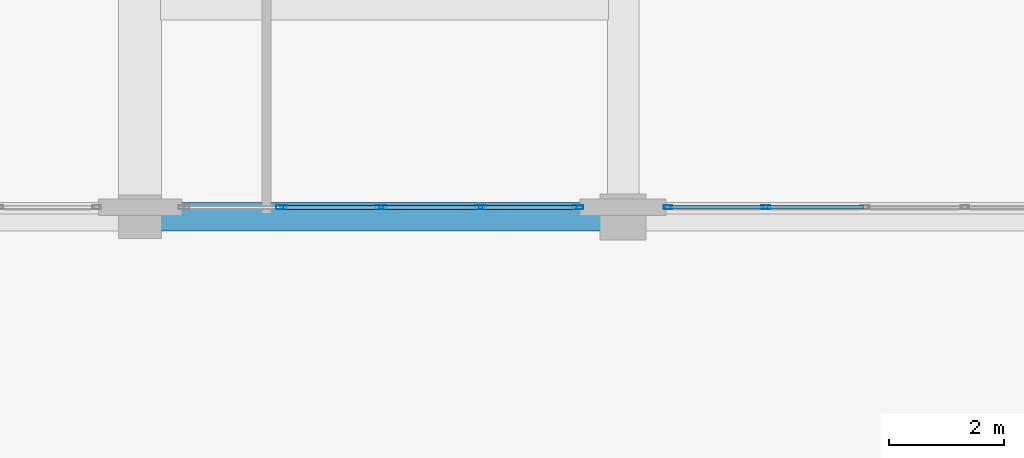
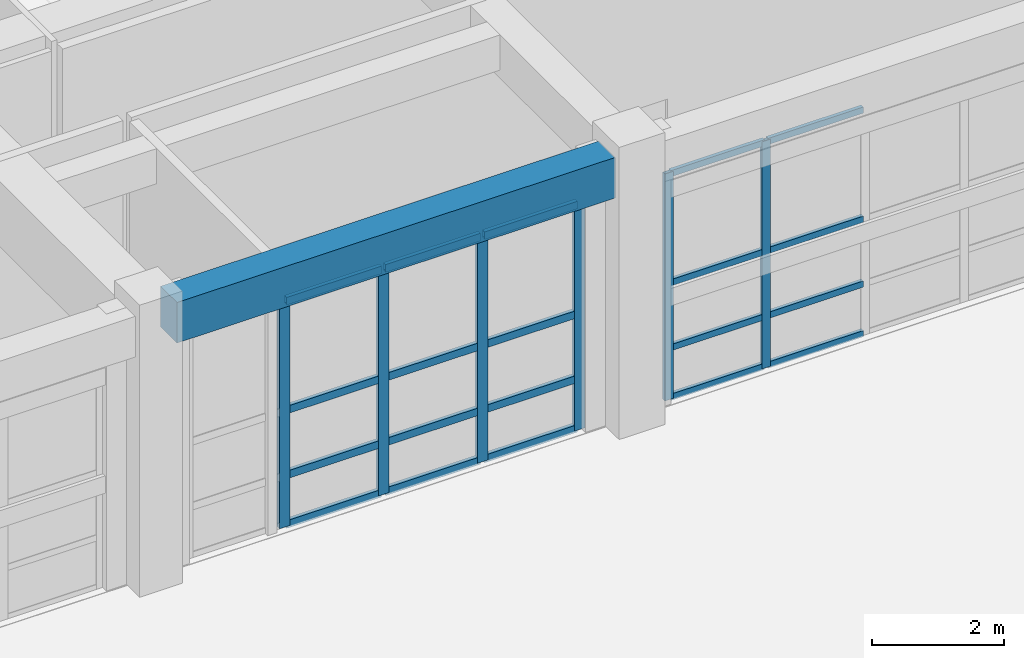
# One storey, part 95 of 148: 26 members, 1 beam, 2 elements without a shape of their own.
"""IFC4 building model written with IfcOpenShell, lengths in metres."""

from ifc_helpers import new_model, si_unit, direction, frame, origin, origin_2d, place, context, subcontext, project, spatial, rectangle, hollow_rectangle, extrude, material, layer, layer_set, material_profile, profile_set, type_object, element, aggregate, save


model = new_model("IFC4")

# Units and contexts
model_context = context("Model", 3, precision=1e-05, world=origin(), true_north=direction((0.0, 1.0)))
body_context = subcontext(model_context, "Body", "Model", "MODEL_VIEW")
ifc_project = project(units=[si_unit("LENGTHUNIT", "METRE"), si_unit("AREAUNIT", "SQUARE_METRE"), si_unit("VOLUMEUNIT", "CUBIC_METRE"), si_unit("PLANEANGLEUNIT", "RADIAN"), si_unit("MASSUNIT", "GRAM", prefix="KILO")], contexts=[model_context])

# Site, building, storey
site_placement = place(None, origin())
site = spatial("IfcSite", under=ifc_project, at=site_placement, CompositionType="ELEMENT")
building_placement = place(site_placement, origin())
building = spatial("IfcBuilding", under=site, at=building_placement, Name="Quendrovan Civic Courthouse", CompositionType="ELEMENT")
storey_placement = place(building_placement, origin())
storey = spatial("IfcBuildingStorey", under=building, at=storey_placement, Name="L01", CompositionType="ELEMENT", Elevation=0.0)

# Beam
ifc_material_1 = material(Name="Concrete C40/50", Category="concrete")
ifc_material_profile_1 = material_profile(ifc_material_1, rectangle(XDim=0.5, YDim=0.75, at=origin_2d()), Name="RC-BM-500x750")
ifc_profile_set_1 = profile_set([ifc_material_profile_1], Name="Concrete C40/50")
beam_type = type_object("IfcBeamType", Name="BM-RC750", PredefinedType="SPANDREL", material=ifc_profile_set_1)
beam_placement = place(storey_placement, frame((126.35498046875, 87.60009765625, 4.7451171875), z_axis=(1.0, 0.0, 0.0), x_axis=(0.0, 1.0, 0.0)))
element("IfcBeam", 1, at=beam_placement, inside=storey, type_object=beam_type, Name="L01 Girder X0327", PredefinedType="SPANDREL", context=body_context, shape_type="SweptSolid", body=[
    extrude(rectangle(XDim=0.5, YDim=0.75, at=origin_2d()), origin(), (0.0, 0.0, 1.0), 7.6650390625),
])

# Curtain wall, members
ifc_material_2 = material(Name="Bronze anodised aluminium and low-E glass", Category="aluminium")
ifc_layer = layer(ifc_material_2, 0.179931640625, Name="Bronze anodised aluminium and low-E glass")
ifc_layer_set = layer_set([ifc_layer], Name="Bronze anodised aluminium and low-E glass")
curtain_wall_type = type_object("IfcCurtainWallType", Name="CW-U69x42", PredefinedType="USERDEFINED", material=ifc_layer_set)
curtain_wall_1_placement = place(storey_placement, origin())
curtain_wall_1 = element("IfcCurtainWall", 2, at=curtain_wall_1_placement, inside=storey, type_object=curtain_wall_type, Name="L01 Unitised Hurricane Curtain Wall CW-046", ObjectType="UNITISED CURTAIN WALL", PredefinedType="USERDEFINED")
ifc_material_3 = material(Name="Bronze anodised aluminium", Category="aluminium")
ifc_material_profile_2 = material_profile(ifc_material_3, hollow_rectangle(XDim=0.070068359375, YDim=0.179931640625, WallThickness=0.00390625, at=origin_2d()), Name="CW-MULL-70x180")
ifc_profile_set_2 = profile_set([ifc_material_profile_2], Name="Bronze anodised aluminium")
member_type_1 = type_object("IfcMemberType", Name="CW-MULL-A", PredefinedType="MULLION", material=ifc_profile_set_2)
member_1_placement = place(storey_placement, frame((133.614990234375, 87.764892578125, 0.0), z_axis=(0.0, 0.0, 1.0), x_axis=(0.0, -1.0, 0.0)))
member_1 = element("IfcMember", 3, at=member_1_placement, type_object=member_type_1, Name="CW-046 mullion 1", PredefinedType="MULLION", context=body_context, shape_type="SweptSolid", body=[
    extrude(hollow_rectangle(XDim=0.070068359375, YDim=0.179931640625, WallThickness=0.00390625, at=origin_2d()), origin(), (0.0, 0.0, 1.0), 4.199951171875),
])
member_2_placement = place(storey_placement, frame((131.918701171875, 87.764892578125, 0.0), z_axis=(0.0, 0.0, 1.0), x_axis=(0.0, -1.0, 0.0)))
member_2 = element("IfcMember", 4, at=member_2_placement, type_object=member_type_1, Name="CW-046 mullion 2", PredefinedType="MULLION", context=body_context, shape_type="SweptSolid", body=[
    extrude(hollow_rectangle(XDim=0.070068359375, YDim=0.179931640625, WallThickness=0.00390625, at=origin_2d()), origin(), (0.0, 0.0, 1.0), 4.199951171875),
])
member_3_placement = place(storey_placement, frame((130.1875, 87.764892578125, 0.0), z_axis=(0.0, 0.0, 1.0), x_axis=(0.0, -1.0, 0.0)))
member_3 = element("IfcMember", 5, at=member_3_placement, type_object=member_type_1, Name="CW-046 mullion 3", PredefinedType="MULLION", context=body_context, shape_type="SweptSolid", body=[
    extrude(hollow_rectangle(XDim=0.070068359375, YDim=0.179931640625, WallThickness=0.00390625, at=origin_2d()), origin(), (0.0, 0.0, 1.0), 4.199951171875),
])
member_4_placement = place(storey_placement, frame((128.456298828125, 87.764892578125, 0.0), z_axis=(0.0, 0.0, 1.0), x_axis=(0.0, -1.0, 0.0)))
member_4 = element("IfcMember", 6, at=member_4_placement, type_object=member_type_1, Name="CW-046 mullion 4", PredefinedType="MULLION", context=body_context, shape_type="SweptSolid", body=[
    extrude(hollow_rectangle(XDim=0.070068359375, YDim=0.179931640625, WallThickness=0.00390625, at=origin_2d()), origin(), (0.0, 0.0, 1.0), 4.199951171875),
])

curtain_wall_2_placement = place(storey_placement, origin())
curtain_wall_2 = element("IfcCurtainWall", 7, at=curtain_wall_2_placement, inside=storey, type_object=curtain_wall_type, Name="L01 Unitised Hurricane Curtain Wall CW-045", ObjectType="UNITISED CURTAIN WALL", PredefinedType="USERDEFINED")
ifc_material_profile_3 = material_profile(ifc_material_3, hollow_rectangle(XDim=0.06494140625, YDim=0.14990234375, WallThickness=0.00390625, at=origin_2d()), Name="CW-MULL-65x150")
ifc_profile_set_3 = profile_set([ifc_material_profile_3], Name="Bronze anodised aluminium")
member_type_2 = type_object("IfcMemberType", Name="CW-MULL-B", PredefinedType="MULLION", material=ifc_profile_set_3)
member_5_placement = place(storey_placement, frame((136.88134765625, 87.764892578125, 0.0), z_axis=(0.0, 0.0, 1.0), x_axis=(0.0, -1.0, 0.0)))
member_5 = element("IfcMember", 8, at=member_5_placement, type_object=member_type_2, Name="CW-045 mullion 4", PredefinedType="MULLION", context=body_context, shape_type="SweptSolid", body=[
    extrude(hollow_rectangle(XDim=0.06494140625, YDim=0.14990234375, WallThickness=0.00390625, at=origin_2d()), origin(), (0.0, 0.0, 1.0), 4.199951171875),
])
member_6_placement = place(storey_placement, frame((135.1826171875, 87.764892578125, 0.0), z_axis=(0.0, 0.0, 1.0), x_axis=(0.0, -1.0, 0.0)))
member_6 = element("IfcMember", 9, at=member_6_placement, type_object=member_type_2, Name="CW-045 mullion 5", PredefinedType="MULLION", context=body_context, shape_type="SweptSolid", body=[
    extrude(hollow_rectangle(XDim=0.06494140625, YDim=0.14990234375, WallThickness=0.00390625, at=origin_2d()), origin(), (0.0, 0.0, 1.0), 4.199951171875),
])

# Member
ifc_material_profile_4 = material_profile(ifc_material_3, hollow_rectangle(XDim=0.070068359375, YDim=0.139892578125, WallThickness=0.00390625, at=origin_2d()), Name="CW-TRAN-70x140")
ifc_profile_set_4 = profile_set([ifc_material_profile_4], Name="Bronze anodised aluminium")
member_type_3 = type_object("IfcMemberType", Name="CW-TRAN-A", PredefinedType="USERDEFINED", material=ifc_profile_set_4)
member_7_placement = place(storey_placement, frame((133.580078125, 87.764892578125, 0.034912109375), z_axis=(-1.0, 0.0, 0.0), x_axis=(0.0, -1.0, 0.0)))
member_7 = element("IfcMember", 10, at=member_7_placement, type_object=member_type_3, Name="CW-046 transom 1.1", ObjectType="TRANSOM", PredefinedType="USERDEFINED", context=body_context, shape_type="SweptSolid", body=[
    extrude(hollow_rectangle(XDim=0.070068359375, YDim=0.139892578125, WallThickness=0.00390625, at=origin_2d()), origin(), (0.0, 0.0, 1.0), 1.626220703125),
])

member_8_placement = place(storey_placement, frame((133.580078125, 87.764892578125, 0.949951171875), z_axis=(-1.0, 0.0, 0.0), x_axis=(0.0, -1.0, 0.0)))
member_8 = element("IfcMember", 11, at=member_8_placement, type_object=member_type_3, Name="CW-046 transom 1.2", ObjectType="TRANSOM", PredefinedType="USERDEFINED", context=body_context, shape_type="SweptSolid", body=[
    extrude(hollow_rectangle(XDim=0.070068359375, YDim=0.139892578125, WallThickness=0.00390625, at=origin_2d()), origin(), (0.0, 0.0, 1.0), 1.626220703125),
])

member_9_placement = place(storey_placement, frame((133.580078125, 87.764892578125, 2.14990234375), z_axis=(-1.0, 0.0, 0.0), x_axis=(0.0, -1.0, 0.0)))
member_9 = element("IfcMember", 12, at=member_9_placement, type_object=member_type_3, Name="CW-046 transom 1.3", ObjectType="TRANSOM", PredefinedType="USERDEFINED", context=body_context, shape_type="SweptSolid", body=[
    extrude(hollow_rectangle(XDim=0.070068359375, YDim=0.139892578125, WallThickness=0.00390625, at=origin_2d()), origin(), (0.0, 0.0, 1.0), 1.626220703125),
])

member_10_placement = place(storey_placement, frame((133.580078125, 87.764892578125, 4.1650390625), z_axis=(-1.0, 0.0, 0.0), x_axis=(0.0, -1.0, 0.0)))
member_10 = element("IfcMember", 13, at=member_10_placement, type_object=member_type_3, Name="CW-046 transom 1.4", ObjectType="TRANSOM", PredefinedType="USERDEFINED", context=body_context, shape_type="SweptSolid", body=[
    extrude(hollow_rectangle(XDim=0.070068359375, YDim=0.139892578125, WallThickness=0.00390625, at=origin_2d()), origin(), (0.0, 0.0, 1.0), 1.626220703125),
])

member_11_placement = place(storey_placement, frame((131.8837890625, 87.764892578125, 0.034912109375), z_axis=(-1.0, 0.0, 0.0), x_axis=(0.0, -1.0, 0.0)))
member_11 = element("IfcMember", 14, at=member_11_placement, type_object=member_type_3, Name="CW-046 transom 2.1", ObjectType="TRANSOM", PredefinedType="USERDEFINED", context=body_context, shape_type="SweptSolid", body=[
    extrude(hollow_rectangle(XDim=0.070068359375, YDim=0.139892578125, WallThickness=0.00390625, at=origin_2d()), origin(), (0.0, 0.0, 1.0), 1.661376953125),
])

member_12_placement = place(storey_placement, frame((131.8837890625, 87.764892578125, 0.949951171875), z_axis=(-1.0, 0.0, 0.0), x_axis=(0.0, -1.0, 0.0)))
member_12 = element("IfcMember", 15, at=member_12_placement, type_object=member_type_3, Name="CW-046 transom 2.2", ObjectType="TRANSOM", PredefinedType="USERDEFINED", context=body_context, shape_type="SweptSolid", body=[
    extrude(hollow_rectangle(XDim=0.070068359375, YDim=0.139892578125, WallThickness=0.00390625, at=origin_2d()), origin(), (0.0, 0.0, 1.0), 1.661376953125),
])

member_13_placement = place(storey_placement, frame((131.8837890625, 87.764892578125, 2.14990234375), z_axis=(-1.0, 0.0, 0.0), x_axis=(0.0, -1.0, 0.0)))
member_13 = element("IfcMember", 16, at=member_13_placement, type_object=member_type_3, Name="CW-046 transom 2.3", ObjectType="TRANSOM", PredefinedType="USERDEFINED", context=body_context, shape_type="SweptSolid", body=[
    extrude(hollow_rectangle(XDim=0.070068359375, YDim=0.139892578125, WallThickness=0.00390625, at=origin_2d()), origin(), (0.0, 0.0, 1.0), 1.661376953125),
])

member_14_placement = place(storey_placement, frame((131.8837890625, 87.764892578125, 4.1650390625), z_axis=(-1.0, 0.0, 0.0), x_axis=(0.0, -1.0, 0.0)))
member_14 = element("IfcMember", 17, at=member_14_placement, type_object=member_type_3, Name="CW-046 transom 2.4", ObjectType="TRANSOM", PredefinedType="USERDEFINED", context=body_context, shape_type="SweptSolid", body=[
    extrude(hollow_rectangle(XDim=0.070068359375, YDim=0.139892578125, WallThickness=0.00390625, at=origin_2d()), origin(), (0.0, 0.0, 1.0), 1.661376953125),
])

member_15_placement = place(storey_placement, frame((130.152587890625, 87.764892578125, 0.034912109375), z_axis=(-1.0, 0.0, 0.0), x_axis=(0.0, -1.0, 0.0)))
member_15 = element("IfcMember", 18, at=member_15_placement, type_object=member_type_3, Name="CW-046 transom 3.1", ObjectType="TRANSOM", PredefinedType="USERDEFINED", context=body_context, shape_type="SweptSolid", body=[
    extrude(hollow_rectangle(XDim=0.070068359375, YDim=0.139892578125, WallThickness=0.00390625, at=origin_2d()), origin(), (0.0, 0.0, 1.0), 1.661376953125),
])

member_16_placement = place(storey_placement, frame((130.152587890625, 87.764892578125, 0.949951171875), z_axis=(-1.0, 0.0, 0.0), x_axis=(0.0, -1.0, 0.0)))
member_16 = element("IfcMember", 19, at=member_16_placement, type_object=member_type_3, Name="CW-046 transom 3.2", ObjectType="TRANSOM", PredefinedType="USERDEFINED", context=body_context, shape_type="SweptSolid", body=[
    extrude(hollow_rectangle(XDim=0.070068359375, YDim=0.139892578125, WallThickness=0.00390625, at=origin_2d()), origin(), (0.0, 0.0, 1.0), 1.661376953125),
])

member_17_placement = place(storey_placement, frame((130.152587890625, 87.764892578125, 2.14990234375), z_axis=(-1.0, 0.0, 0.0), x_axis=(0.0, -1.0, 0.0)))
member_17 = element("IfcMember", 20, at=member_17_placement, type_object=member_type_3, Name="CW-046 transom 3.3", ObjectType="TRANSOM", PredefinedType="USERDEFINED", context=body_context, shape_type="SweptSolid", body=[
    extrude(hollow_rectangle(XDim=0.070068359375, YDim=0.139892578125, WallThickness=0.00390625, at=origin_2d()), origin(), (0.0, 0.0, 1.0), 1.661376953125),
])

member_18_placement = place(storey_placement, frame((130.152587890625, 87.764892578125, 4.1650390625), z_axis=(-1.0, 0.0, 0.0), x_axis=(0.0, -1.0, 0.0)))
member_18 = element("IfcMember", 21, at=member_18_placement, type_object=member_type_3, Name="CW-046 transom 3.4", ObjectType="TRANSOM", PredefinedType="USERDEFINED", context=body_context, shape_type="SweptSolid", body=[
    extrude(hollow_rectangle(XDim=0.070068359375, YDim=0.139892578125, WallThickness=0.00390625, at=origin_2d()), origin(), (0.0, 0.0, 1.0), 1.661376953125),
])

aggregate(curtain_wall_1, [member_1, member_2, member_3, member_4, member_7, member_8, member_9, member_10, member_11, member_12, member_13, member_14, member_15, member_16, member_17, member_18])

ifc_material_profile_5 = material_profile(ifc_material_3, hollow_rectangle(XDim=0.06494140625, YDim=0.114990234375, WallThickness=0.00390625, at=origin_2d()), Name="CW-TRAN-65x115")
ifc_profile_set_5 = profile_set([ifc_material_profile_5], Name="Bronze anodised aluminium")
member_type_4 = type_object("IfcMemberType", Name="CW-TRAN-B", PredefinedType="USERDEFINED", material=ifc_profile_set_5)
member_19_placement = place(storey_placement, frame((138.580078125, 87.764892578125, 0.032470703125), z_axis=(-1.0, 0.0, 0.0), x_axis=(0.0, -1.0, 0.0)))
member_19 = element("IfcMember", 22, at=member_19_placement, type_object=member_type_4, Name="CW-045 transom 3.1", ObjectType="TRANSOM", PredefinedType="USERDEFINED", context=body_context, shape_type="SweptSolid", body=[
    extrude(hollow_rectangle(XDim=0.06494140625, YDim=0.114990234375, WallThickness=0.00390625, at=origin_2d()), origin(), (0.0, 0.0, 1.0), 1.666259765625),
])

member_20_placement = place(storey_placement, frame((138.580078125, 87.764892578125, 0.949951171875), z_axis=(-1.0, 0.0, 0.0), x_axis=(0.0, -1.0, 0.0)))
member_20 = element("IfcMember", 23, at=member_20_placement, type_object=member_type_4, Name="CW-045 transom 3.2", ObjectType="TRANSOM", PredefinedType="USERDEFINED", context=body_context, shape_type="SweptSolid", body=[
    extrude(hollow_rectangle(XDim=0.06494140625, YDim=0.114990234375, WallThickness=0.00390625, at=origin_2d()), origin(), (0.0, 0.0, 1.0), 1.666259765625),
])

member_21_placement = place(storey_placement, frame((138.580078125, 87.764892578125, 2.14990234375), z_axis=(-1.0, 0.0, 0.0), x_axis=(0.0, -1.0, 0.0)))
member_21 = element("IfcMember", 24, at=member_21_placement, type_object=member_type_4, Name="CW-045 transom 3.3", ObjectType="TRANSOM", PredefinedType="USERDEFINED", context=body_context, shape_type="SweptSolid", body=[
    extrude(hollow_rectangle(XDim=0.06494140625, YDim=0.114990234375, WallThickness=0.00390625, at=origin_2d()), origin(), (0.0, 0.0, 1.0), 1.666259765625),
])

member_22_placement = place(storey_placement, frame((138.580078125, 87.764892578125, 4.16748046875), z_axis=(-1.0, 0.0, 0.0), x_axis=(0.0, -1.0, 0.0)))
member_22 = element("IfcMember", 25, at=member_22_placement, type_object=member_type_4, Name="CW-045 transom 3.4", ObjectType="TRANSOM", PredefinedType="USERDEFINED", context=body_context, shape_type="SweptSolid", body=[
    extrude(hollow_rectangle(XDim=0.06494140625, YDim=0.114990234375, WallThickness=0.00390625, at=origin_2d()), origin(), (0.0, 0.0, 1.0), 1.666259765625),
])

member_23_placement = place(storey_placement, frame((136.8486328125, 87.764892578125, 0.032470703125), z_axis=(-1.0, 0.0, 0.0), x_axis=(0.0, -1.0, 0.0)))
member_23 = element("IfcMember", 26, at=member_23_placement, type_object=member_type_4, Name="CW-045 transom 4.1", ObjectType="TRANSOM", PredefinedType="USERDEFINED", context=body_context, shape_type="SweptSolid", body=[
    extrude(hollow_rectangle(XDim=0.06494140625, YDim=0.114990234375, WallThickness=0.00390625, at=origin_2d()), origin(), (0.0, 0.0, 1.0), 1.633544921875),
])

member_24_placement = place(storey_placement, frame((136.8486328125, 87.764892578125, 0.949951171875), z_axis=(-1.0, 0.0, 0.0), x_axis=(0.0, -1.0, 0.0)))
member_24 = element("IfcMember", 27, at=member_24_placement, type_object=member_type_4, Name="CW-045 transom 4.2", ObjectType="TRANSOM", PredefinedType="USERDEFINED", context=body_context, shape_type="SweptSolid", body=[
    extrude(hollow_rectangle(XDim=0.06494140625, YDim=0.114990234375, WallThickness=0.00390625, at=origin_2d()), origin(), (0.0, 0.0, 1.0), 1.633544921875),
])

member_25_placement = place(storey_placement, frame((136.8486328125, 87.764892578125, 2.14990234375), z_axis=(-1.0, 0.0, 0.0), x_axis=(0.0, -1.0, 0.0)))
member_25 = element("IfcMember", 28, at=member_25_placement, type_object=member_type_4, Name="CW-045 transom 4.3", ObjectType="TRANSOM", PredefinedType="USERDEFINED", context=body_context, shape_type="SweptSolid", body=[
    extrude(hollow_rectangle(XDim=0.06494140625, YDim=0.114990234375, WallThickness=0.00390625, at=origin_2d()), origin(), (0.0, 0.0, 1.0), 1.633544921875),
])

member_26_placement = place(storey_placement, frame((136.8486328125, 87.764892578125, 4.16748046875), z_axis=(-1.0, 0.0, 0.0), x_axis=(0.0, -1.0, 0.0)))
member_26 = element("IfcMember", 29, at=member_26_placement, type_object=member_type_4, Name="CW-045 transom 4.4", ObjectType="TRANSOM", PredefinedType="USERDEFINED", context=body_context, shape_type="SweptSolid", body=[
    extrude(hollow_rectangle(XDim=0.06494140625, YDim=0.114990234375, WallThickness=0.00390625, at=origin_2d()), origin(), (0.0, 0.0, 1.0), 1.633544921875),
])

aggregate(curtain_wall_2, [member_5, member_6, member_19, member_20, member_21, member_22, member_23, member_24, member_25, member_26])

save(model, "model.ifc")
